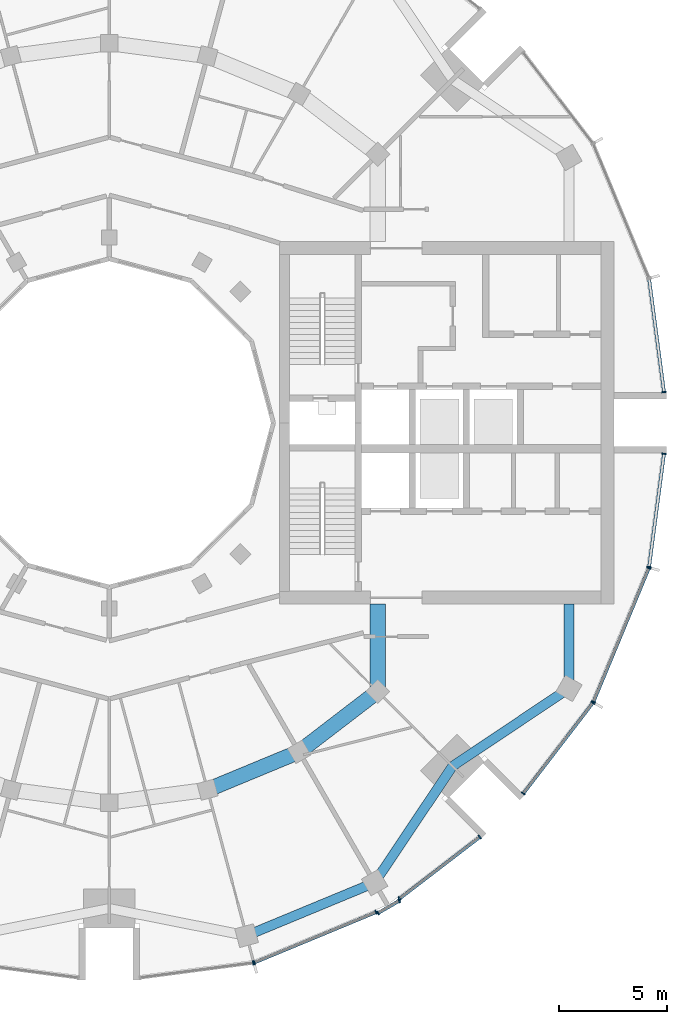
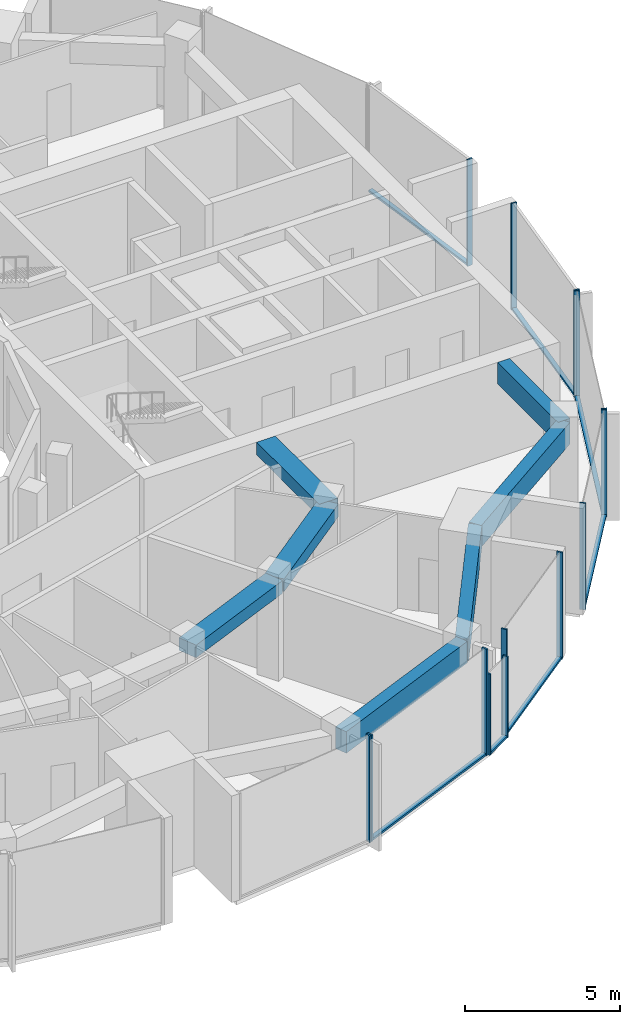
# One storey, part 4 of 15: 21 members, 7 beams, 8 elements without a shape of their own.
"""IFC4 building model written with IfcOpenShell, lengths in metres."""

from ifc_helpers import new_model, si_unit, direction, frame, origin, origin_2d, place, context, subcontext, project, spatial, rectangle, extrude, material, layer, layer_set, material_profile, profile_set, type_object, element, aggregate, save


model = new_model("IFC4")

# Units and contexts
model_context = context("Model", 3, precision=1e-05, world=origin(), true_north=direction((0.0, 1.0)))
body_context = subcontext(model_context, "Body", "Model", "MODEL_VIEW")
ifc_project = project(units=[si_unit("LENGTHUNIT", "METRE"), si_unit("AREAUNIT", "SQUARE_METRE"), si_unit("VOLUMEUNIT", "CUBIC_METRE"), si_unit("PLANEANGLEUNIT", "RADIAN"), si_unit("MASSUNIT", "GRAM", prefix="KILO")], contexts=[model_context])

# Site, building, storey
site_placement = place(None, origin())
site = spatial("IfcSite", under=ifc_project, at=site_placement, CompositionType="ELEMENT")
building_placement = place(site_placement, origin())
building = spatial("IfcBuilding", under=site, at=building_placement, Name="Torre Brocal", CompositionType="ELEMENT")
storey_placement = place(building_placement, frame((0.0, 0.0, 266.699951171875)))
storey = spatial("IfcBuildingStorey", under=building, at=storey_placement, Name="L61", CompositionType="ELEMENT", Elevation=266.699951171875)

# Curtain wall, member
ifc_material_1 = material(Name="Aluminium and glass", Category="aluminium")
ifc_layer_1 = layer(ifc_material_1, 0.199951171875)
ifc_layer_set_1 = layer_set([ifc_layer_1], Name="Aluminium and glass")
curtain_wall_type_1 = type_object("IfcCurtainWallType", Name="CW-1 CURTAIN WALL 4200 HIGH", PredefinedType="NOTDEFINED", material=ifc_layer_set_1)
curtain_wall_1_placement = place(storey_placement, origin())
curtain_wall_1 = element("IfcCurtainWall", 1, at=curtain_wall_1_placement, inside=storey, type_object=curtain_wall_type_1, Name="CW-1 RUN 19", PredefinedType="NOTDEFINED")
ifc_material_2 = material(Name="Aluminium, dark anodised", Category="aluminium")
ifc_material_profile_1 = material_profile(ifc_material_2, rectangle(XDim=0.199951171875, YDim=0.06005859375, at=origin_2d()), Name="CW-1 MULLION 60X200")
ifc_profile_set_1 = profile_set([ifc_material_profile_1], Name="Aluminium, dark anodised")
member_type_1 = type_object("IfcMemberType", Name="CW-1 MULLION 60X200", PredefinedType="MULLION", material=ifc_profile_set_1)
member_1_placement = place(storey_placement, frame((86.67333984375, 49.9794921875, 0.0), z_axis=(0.0, 0.0, 1.0), x_axis=(-0.13052619222, 0.991444861374, 0.0)))
member_1 = element("IfcMember", 2, at=member_1_placement, type_object=member_type_1, Name="CW1-5 mullion 2", PredefinedType="MULLION", context=body_context, shape_type="SweptSolid", body=[
    extrude(rectangle(XDim=0.199951171875, YDim=0.06005859375, at=origin_2d()), origin(), (0.0, 0.0, 1.0), 4.199951171875),
])
aggregate(curtain_wall_1, [member_1])

# Curtain wall, members
ifc_material_3 = material(Name="Aluminium and glass", Category="aluminium")
ifc_layer_2 = layer(ifc_material_3, 0.199951171875)
ifc_layer_set_2 = layer_set([ifc_layer_2], Name="Aluminium and glass")
curtain_wall_type_2 = type_object("IfcCurtainWallType", Name="CW-1 CURTAIN WALL 3200 HIGH", PredefinedType="NOTDEFINED", material=ifc_layer_set_2)
curtain_wall_2_placement = place(storey_placement, origin())
curtain_wall_2 = element("IfcCurtainWall", 3, at=curtain_wall_2_placement, inside=storey, type_object=curtain_wall_type_2, Name="CW-1 RUN 21 TRUSS CLOSER", PredefinedType="NOTDEFINED")
member_2_placement = place(storey_placement, frame((92.460205078125, 52.2880859375, 0.0), z_axis=(0.0, 0.0, 1.0), x_axis=(-0.499999999547, 0.866025404046, 0.0)))
member_2 = element("IfcMember", 4, at=member_2_placement, type_object=member_type_1, Name="CW1-6 mullion 1", PredefinedType="MULLION", context=body_context, shape_type="SweptSolid", body=[
    extrude(rectangle(XDim=0.199951171875, YDim=0.06005859375, at=origin_2d()), origin(), (0.0, 0.0, 1.0), 3.199951171875),
])
member_3_placement = place(storey_placement, frame((93.43896484375, 52.853271484375, 0.0), z_axis=(0.0, 0.0, 1.0), x_axis=(-0.499999999547, 0.866025404046, 0.0)))
member_3 = element("IfcMember", 5, at=member_3_placement, type_object=member_type_1, Name="CW1-6 mullion 2", PredefinedType="MULLION", context=body_context, shape_type="SweptSolid", body=[
    extrude(rectangle(XDim=0.199951171875, YDim=0.06005859375, at=origin_2d()), origin(), (0.0, 0.0, 1.0), 3.199951171875),
])

curtain_wall_3_placement = place(storey_placement, origin())
curtain_wall_3 = element("IfcCurtainWall", 6, at=curtain_wall_3_placement, inside=storey, type_object=curtain_wall_type_1, Name="CW-1 RUN 20", PredefinedType="NOTDEFINED")
member_4_placement = place(storey_placement, frame((86.73095703125, 49.994873046875, 0.0), z_axis=(0.0, 0.0, 1.0), x_axis=(-0.382683432284, 0.923879532545, 0.0)))
member_4 = element("IfcMember", 7, at=member_4_placement, type_object=member_type_1, Name="CW1-5 mullion 1", PredefinedType="MULLION", context=body_context, shape_type="SweptSolid", body=[
    extrude(rectangle(XDim=0.199951171875, YDim=0.06005859375, at=origin_2d()), origin(), (0.0, 0.0, 1.0), 4.199951171875),
])
member_5_placement = place(storey_placement, frame((92.36279296875, 52.32763671875, 0.0), z_axis=(0.0, 0.0, 1.0), x_axis=(-0.382683432284, 0.923879532545, 0.0)))
member_5 = element("IfcMember", 8, at=member_5_placement, type_object=member_type_1, Name="CW1-5 mullion 2", PredefinedType="MULLION", context=body_context, shape_type="SweptSolid", body=[
    extrude(rectangle(XDim=0.199951171875, YDim=0.06005859375, at=origin_2d()), origin(), (0.0, 0.0, 1.0), 4.199951171875),
])

curtain_wall_4_placement = place(storey_placement, origin())
curtain_wall_4 = element("IfcCurtainWall", 9, at=curtain_wall_4_placement, inside=storey, type_object=curtain_wall_type_1, Name="CW-1 RUN 21", PredefinedType="NOTDEFINED")
member_6_placement = place(storey_placement, frame((93.453369140625, 52.957275390625, 0.0), z_axis=(0.0, 0.0, 1.0), x_axis=(-0.608761429119, 0.793353340206, 0.0)))
member_6 = element("IfcMember", 10, at=member_6_placement, type_object=member_type_1, Name="CW1-5 mullion 1", PredefinedType="MULLION", context=body_context, shape_type="SweptSolid", body=[
    extrude(rectangle(XDim=0.199951171875, YDim=0.06005859375, at=origin_2d()), origin(), (0.0, 0.0, 1.0), 4.199951171875),
])
member_7_placement = place(storey_placement, frame((97.16943359375, 55.80859375, 0.0), z_axis=(0.0, 0.0, 1.0), x_axis=(-0.608761429119, 0.793353340206, 0.0)))
member_7 = element("IfcMember", 11, at=member_7_placement, type_object=member_type_1, Name="CW1-5 mullion 2", PredefinedType="MULLION", context=body_context, shape_type="SweptSolid", body=[
    extrude(rectangle(XDim=0.199951171875, YDim=0.06005859375, at=origin_2d()), origin(), (0.0, 0.0, 1.0), 4.199951171875),
])

curtain_wall_5_placement = place(storey_placement, origin())
curtain_wall_5 = element("IfcCurtainWall", 12, at=curtain_wall_5_placement, inside=storey, type_object=curtain_wall_type_1, Name="CW-1 RUN 22", PredefinedType="NOTDEFINED")
member_8_placement = place(storey_placement, frame((99.19140625, 57.83056640625, 0.0), z_axis=(0.0, 0.0, 1.0), x_axis=(-0.793353340259, 0.60876142905, 0.0)))
member_8 = element("IfcMember", 13, at=member_8_placement, type_object=member_type_1, Name="CW1-5 mullion 1", PredefinedType="MULLION", context=body_context, shape_type="SweptSolid", body=[
    extrude(rectangle(XDim=0.199951171875, YDim=0.06005859375, at=origin_2d()), origin(), (0.0, 0.0, 1.0), 4.199951171875),
])
member_9_placement = place(storey_placement, frame((102.4111328125, 62.026611328125, 0.0), z_axis=(0.0, 0.0, 1.0), x_axis=(-0.793353340259, 0.60876142905, 0.0)))
member_9 = element("IfcMember", 14, at=member_9_placement, type_object=member_type_1, Name="CW1-5 mullion 2", PredefinedType="MULLION", context=body_context, shape_type="SweptSolid", body=[
    extrude(rectangle(XDim=0.199951171875, YDim=0.06005859375, at=origin_2d()), origin(), (0.0, 0.0, 1.0), 4.199951171875),
])

curtain_wall_6_placement = place(storey_placement, origin())
curtain_wall_6 = element("IfcCurtainWall", 15, at=curtain_wall_6_placement, inside=storey, type_object=curtain_wall_type_1, Name="CW-1 RUN 23", PredefinedType="NOTDEFINED")
member_10_placement = place(storey_placement, frame((102.440673828125, 62.078125, 0.0), z_axis=(0.0, 0.0, 1.0), x_axis=(-0.923879532525, 0.382683432333, 0.0)))
member_10 = element("IfcMember", 16, at=member_10_placement, type_object=member_type_1, Name="CW1-5 mullion 1", PredefinedType="MULLION", context=body_context, shape_type="SweptSolid", body=[
    extrude(rectangle(XDim=0.199951171875, YDim=0.06005859375, at=origin_2d()), origin(), (0.0, 0.0, 1.0), 4.199951171875),
])
member_11_placement = place(storey_placement, frame((105.005126953125, 68.26904296875, 0.0), z_axis=(0.0, 0.0, 1.0), x_axis=(-0.923879532525, 0.382683432333, 0.0)))
member_11 = element("IfcMember", 17, at=member_11_placement, type_object=member_type_1, Name="CW1-5 mullion 2", PredefinedType="MULLION", context=body_context, shape_type="SweptSolid", body=[
    extrude(rectangle(XDim=0.199951171875, YDim=0.06005859375, at=origin_2d()), origin(), (0.0, 0.0, 1.0), 4.199951171875),
])

# Member
ifc_material_4 = material(Name="Aluminium, dark anodised", Category="aluminium")
ifc_material_profile_2 = material_profile(ifc_material_4, rectangle(XDim=0.159912109375, YDim=0.080078125, at=origin_2d()), Name="CW-1 TRANSOM 160X80")
ifc_profile_set_2 = profile_set([ifc_material_profile_2], Name="Aluminium, dark anodised")
member_type_2 = type_object("IfcMemberType", Name="CW-1 TRANSOM 160X80", PredefinedType="USERDEFINED", material=ifc_profile_set_2)
member_12_placement = place(storey_placement, frame((92.486083984375, 52.30322265625, 0.0400390625), z_axis=(0.866045054481, 0.49996596245, 0.0), x_axis=(-0.49996596245, 0.866045054481, 0.0)))
member_12 = element("IfcMember", 18, at=member_12_placement, type_object=member_type_2, Name="CW1-6 transom 1.1", ObjectType="TRANSOM", PredefinedType="USERDEFINED", context=body_context, shape_type="SweptSolid", body=[
    extrude(rectangle(XDim=0.159912109375, YDim=0.080078125, at=origin_2d()), origin(), (0.0, 0.0, 1.0), 1.0703125),
])

aggregate(curtain_wall_2, [member_2, member_3, member_12])

member_13_placement = place(storey_placement, frame((86.758544921875, 50.00634765625, 0.0400390625), z_axis=(0.923880275831, 0.382681637828, 0.0), x_axis=(-0.382681637828, 0.923880275831, 0.0)))
member_13 = element("IfcMember", 19, at=member_13_placement, type_object=member_type_2, Name="CW1-5 transom 1.1", ObjectType="TRANSOM", PredefinedType="USERDEFINED", context=body_context, shape_type="SweptSolid", body=[
    extrude(rectangle(XDim=0.159912109375, YDim=0.080078125, at=origin_2d()), origin(), (0.0, 0.0, 1.0), 6.035888671875),
])

aggregate(curtain_wall_3, [member_4, member_5, member_13])

member_14_placement = place(storey_placement, frame((93.477294921875, 52.9755859375, 0.0400390625), z_axis=(0.793355584282, 0.608758504572, 0.0), x_axis=(-0.608758504572, 0.793355584282, 0.0)))
member_14 = element("IfcMember", 20, at=member_14_placement, type_object=member_type_2, Name="CW1-5 transom 1.1", ObjectType="TRANSOM", PredefinedType="USERDEFINED", context=body_context, shape_type="SweptSolid", body=[
    extrude(rectangle(XDim=0.159912109375, YDim=0.080078125, at=origin_2d()), origin(), (0.0, 0.0, 1.0), 4.623779296875),
])

aggregate(curtain_wall_4, [member_6, member_7, member_14])

member_15_placement = place(storey_placement, frame((99.209716796875, 57.8544921875, 0.0400390625), z_axis=(0.60874908096, 0.79336281513, 0.0), x_axis=(-0.79336281513, 0.60874908096, 0.0)))
member_15 = element("IfcMember", 21, at=member_15_placement, type_object=member_type_2, Name="CW1-5 transom 1.1", ObjectType="TRANSOM", PredefinedType="USERDEFINED", context=body_context, shape_type="SweptSolid", body=[
    extrude(rectangle(XDim=0.159912109375, YDim=0.080078125, at=origin_2d()), origin(), (0.0, 0.0, 1.0), 5.22900390625),
])

aggregate(curtain_wall_5, [member_8, member_9, member_15])

member_16_placement = place(storey_placement, frame((102.452392578125, 62.10595703125, 0.0400390625), z_axis=(0.38266457234, 0.923887344364, 0.0), x_axis=(-0.923887344364, 0.38266457234, 0.0)))
member_16 = element("IfcMember", 22, at=member_16_placement, type_object=member_type_2, Name="CW1-5 transom 1.1", ObjectType="TRANSOM", PredefinedType="USERDEFINED", context=body_context, shape_type="SweptSolid", body=[
    extrude(rectangle(XDim=0.159912109375, YDim=0.080078125, at=origin_2d()), origin(), (0.0, 0.0, 1.0), 6.640869140625),
])

aggregate(curtain_wall_6, [member_10, member_11, member_16])

# Curtain wall, member
ifc_material_5 = material(Name="Aluminium and glass", Category="aluminium")
ifc_layer_3 = layer(ifc_material_5, 0.199951171875)
ifc_layer_set_3 = layer_set([ifc_layer_3], Name="Aluminium and glass")
curtain_wall_type_3 = type_object("IfcCurtainWallType", Name="CW-1B CURTAIN WALL 4200 HIGH", PredefinedType="NOTDEFINED", material=ifc_layer_set_3)
curtain_wall_7_placement = place(storey_placement, origin())
curtain_wall_7 = element("IfcCurtainWall", 23, at=curtain_wall_7_placement, inside=storey, type_object=curtain_wall_type_3, Name="CW-1B RUN 1", PredefinedType="NOTDEFINED")
ifc_material_6 = material(Name="Aluminium, dark anodised", Category="aluminium")
ifc_material_profile_3 = material_profile(ifc_material_6, rectangle(XDim=0.199951171875, YDim=0.06005859375, at=origin_2d()), Name="CW-1B MULLION 60X200")
ifc_profile_set_3 = profile_set([ifc_material_profile_3], Name="Aluminium, dark anodised")
member_type_3 = type_object("IfcMemberType", Name="CW-1B MULLION 60X200", PredefinedType="MULLION", material=ifc_profile_set_3)
member_17_placement = place(storey_placement, frame((105.7109375, 76.4296875, 0.0), z_axis=(0.0, 0.0, 1.0), x_axis=(-0.991444861374, -0.13052619222, 0.0)))
member_17 = element("IfcMember", 24, at=member_17_placement, type_object=member_type_3, Name="CW1B-5 mullion 1", PredefinedType="MULLION", context=body_context, shape_type="SweptSolid", body=[
    extrude(rectangle(XDim=0.199951171875, YDim=0.06005859375, at=origin_2d()), origin(), (0.0, 0.0, 1.0), 4.199951171875),
])

# Curtain wall, members
curtain_wall_8_placement = place(storey_placement, origin())
curtain_wall_8 = element("IfcCurtainWall", 25, at=curtain_wall_8_placement, inside=storey, type_object=curtain_wall_type_3, Name="CW-1B RUN 24", PredefinedType="NOTDEFINED")
member_18_placement = place(storey_placement, frame((105.0205078125, 68.32666015625, 0.0), z_axis=(0.0, 0.0, 1.0), x_axis=(-0.991444861374, 0.13052619222, 0.0)))
member_18 = element("IfcMember", 26, at=member_18_placement, type_object=member_type_3, Name="CW1B-5 mullion 1", PredefinedType="MULLION", context=body_context, shape_type="SweptSolid", body=[
    extrude(rectangle(XDim=0.199951171875, YDim=0.06005859375, at=origin_2d()), origin(), (0.0, 0.0, 1.0), 4.199951171875),
])
member_19_placement = place(storey_placement, frame((105.7109375, 73.5703125, 0.0), z_axis=(0.0, 0.0, 1.0), x_axis=(-0.991444861374, 0.13052619222, 0.0)))
member_19 = element("IfcMember", 27, at=member_19_placement, type_object=member_type_3, Name="CW1B-5 mullion 2", PredefinedType="MULLION", context=body_context, shape_type="SweptSolid", body=[
    extrude(rectangle(XDim=0.199951171875, YDim=0.06005859375, at=origin_2d()), origin(), (0.0, 0.0, 1.0), 4.199951171875),
])

# Member
ifc_material_7 = material(Name="Aluminium, dark anodised", Category="aluminium")
ifc_material_profile_4 = material_profile(ifc_material_7, rectangle(XDim=0.159912109375, YDim=0.080078125, at=origin_2d()), Name="CW-1B TRANSOM 160X80")
ifc_profile_set_4 = profile_set([ifc_material_profile_4], Name="Aluminium, dark anodised")
member_type_4 = type_object("IfcMemberType", Name="CW-1B TRANSOM 160X80", PredefinedType="USERDEFINED", material=ifc_profile_set_4)
member_20_placement = place(storey_placement, frame((105.70703125, 76.45947265625, 0.0400390625), z_axis=(-0.130542677827, 0.991442690863, 0.0), x_axis=(-0.991442690863, -0.130542677827, 0.0)))
member_20 = element("IfcMember", 28, at=member_20_placement, type_object=member_type_4, Name="CW1B-5 transom 1.1", ObjectType="TRANSOM", PredefinedType="USERDEFINED", context=body_context, shape_type="SweptSolid", body=[
    extrude(rectangle(XDim=0.159912109375, YDim=0.080078125, at=origin_2d()), origin(), (0.0, 0.0, 1.0), 5.22900390625),
])

aggregate(curtain_wall_7, [member_17, member_20])

member_21_placement = place(storey_placement, frame((105.0244140625, 68.356201171875, 0.0400390625), z_axis=(0.130542677827, 0.991442690863, 0.0), x_axis=(-0.991442690863, 0.130542677827, 0.0)))
member_21 = element("IfcMember", 29, at=member_21_placement, type_object=member_type_4, Name="CW1B-5 transom 1.1", ObjectType="TRANSOM", PredefinedType="USERDEFINED", context=body_context, shape_type="SweptSolid", body=[
    extrude(rectangle(XDim=0.159912109375, YDim=0.080078125, at=origin_2d()), origin(), (0.0, 0.0, 1.0), 5.22900390625),
])

aggregate(curtain_wall_8, [member_18, member_19, member_21])

# Beams
ifc_material_8 = material(Name="Concrete C50", Category="concrete")
ifc_material_profile_5 = material_profile(ifc_material_8, rectangle(XDim=0.699951171875, YDim=0.5, at=origin_2d()), Name="RC 700X500")
ifc_profile_set_5 = profile_set([ifc_material_profile_5], Name="Concrete C50")
beam_type_1 = type_object("IfcBeamType", Name="RC BEAM 700X500 C50 TOP 3750", PredefinedType="BEAM", material=ifc_profile_set_5)
beam_1_placement = place(storey_placement, frame((84.55517578125, 57.999755859375, 3.5), z_axis=(0.923878240166, 0.382686552348, 0.0), x_axis=(-0.382686552348, 0.923878240166, 0.0)))
element("IfcBeam", 30, at=beam_1_placement, inside=storey, type_object=beam_type_1, Name="Beam BT-43", PredefinedType="BEAM", context=body_context, shape_type="SweptSolid", body=[
    extrude(rectangle(XDim=0.699951171875, YDim=0.5, at=origin_2d()), origin(), (0.0, 0.0, 1.0), 4.5947265625),
])
beam_2_placement = place(storey_placement, frame((88.800048828125, 59.758056640625, 3.5), z_axis=(0.793358265959, 0.6087550097, 0.0), x_axis=(-0.6087550097, 0.793358265959, 0.0)))
element("IfcBeam", 31, at=beam_2_placement, inside=storey, type_object=beam_type_1, Name="Beam BT-43", PredefinedType="BEAM", context=body_context, shape_type="SweptSolid", body=[
    extrude(rectangle(XDim=0.699951171875, YDim=0.5, at=origin_2d()), origin(), (0.0, 0.0, 1.0), 4.594482421875),
])
beam_3_placement = place(storey_placement, frame((92.445068359375, 62.554931640625, 3.5), z_axis=(0.0, 1.0, 0.0), x_axis=(-1.0, 0.0, 0.0)))
element("IfcBeam", 32, at=beam_3_placement, inside=storey, type_object=beam_type_1, Name="Beam BT-43", PredefinedType="BEAM", context=body_context, shape_type="SweptSolid", body=[
    extrude(rectangle(XDim=0.699951171875, YDim=0.5, at=origin_2d()), origin(), (0.0, 0.0, 1.0), 4.045166015625),
])
ifc_material_9 = material(Name="Concrete C50", Category="concrete")
ifc_material_profile_6 = material_profile(ifc_material_9, rectangle(XDim=0.449951171875, YDim=0.85009765625, at=origin_2d()), Name="RC 450X850")
ifc_profile_set_6 = profile_set([ifc_material_profile_6], Name="Concrete C50")
beam_type_2 = type_object("IfcBeamType", Name="RC SPANDREL BEAM 450X850 C50 TOP 3750", PredefinedType="SPANDREL", material=ifc_profile_set_6)
beam_4_placement = place(storey_placement, frame((86.366943359375, 51.23828125, 3.324951171875), z_axis=(0.923882462513, 0.382676358639, 0.0), x_axis=(-0.382676358639, 0.923882462513, 0.0)))
element("IfcBeam", 33, at=beam_4_placement, inside=storey, type_object=beam_type_2, Name="Beam BT-44", PredefinedType="SPANDREL", context=body_context, shape_type="SweptSolid", body=[
    extrude(rectangle(XDim=0.449951171875, YDim=0.85009765625, at=origin_2d()), origin(), (0.0, 0.0, 1.0), 6.421875),
])
for number, where, z_axis, x_axis, name in (
    (34, (92.300048828125, 53.69580078125, 3.324951171875), (0.556157602282, 0.831076844476, 0.0), (-0.831076844476, 0.556157602282, 0.0), "Beam BT-44"),
    (35, (95.909912109375, 59.090087890625, 3.324951171875), (0.831076844476, 0.556157602282, 0.0), (-0.556157602282, 0.831076844476, 0.0), "Beam BT-44"),
):
    element("IfcBeam", number, at=place(storey_placement, frame(where, z_axis=z_axis, x_axis=x_axis)), inside=storey, type_object=beam_type_2, Name=name, PredefinedType="SPANDREL", context=body_context, shape_type="SweptSolid", body=[
        extrude(rectangle(XDim=0.449951171875, YDim=0.85009765625, at=origin_2d()), origin(), (0.0, 0.0, 1.0), 6.49072265625),
    ])
beam_5_placement = place(storey_placement, frame((101.30419921875, 62.699951171875, 3.324951171875), z_axis=(0.0, 1.0, 0.0), x_axis=(-1.0, 0.0, 0.0)))
element("IfcBeam", 36, at=beam_5_placement, inside=storey, type_object=beam_type_2, Name="Beam BT-44", PredefinedType="SPANDREL", context=body_context, shape_type="SweptSolid", body=[
    extrude(rectangle(XDim=0.449951171875, YDim=0.85009765625, at=origin_2d()), origin(), (0.0, 0.0, 1.0), 3.900146484375),
])

save(model, "model.ifc")
